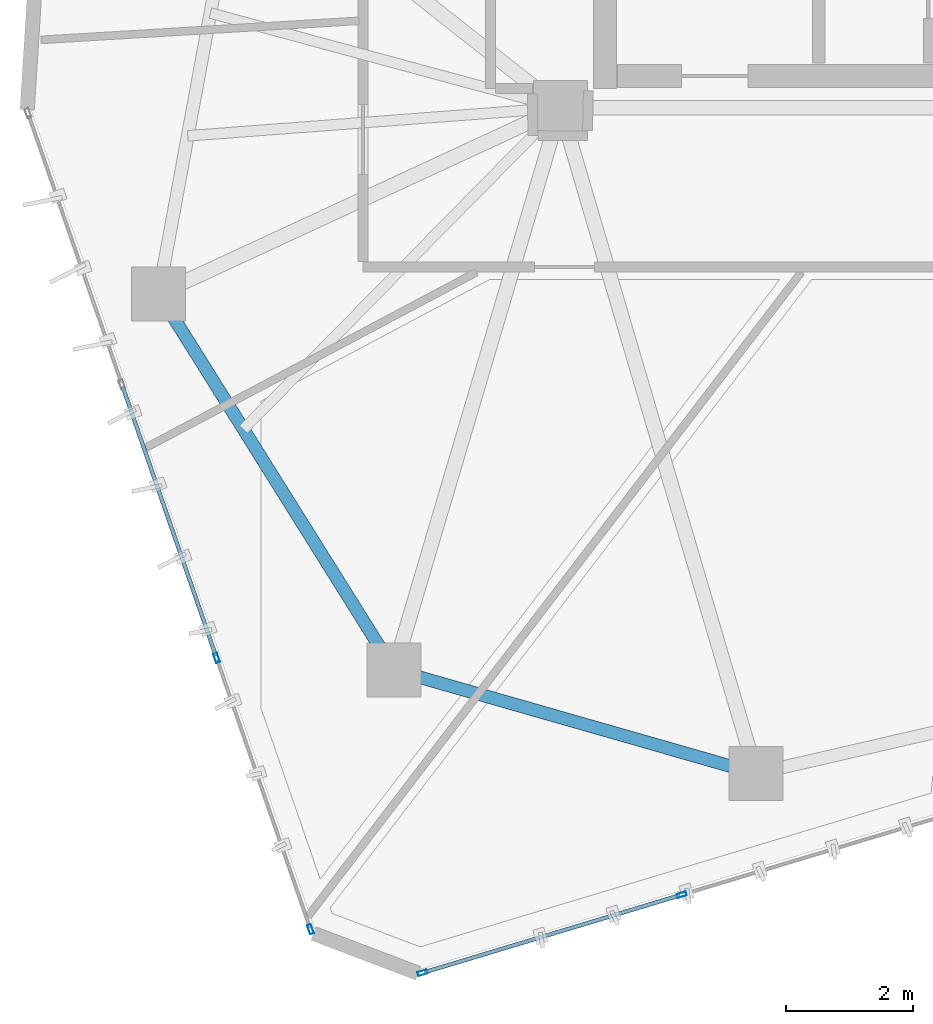
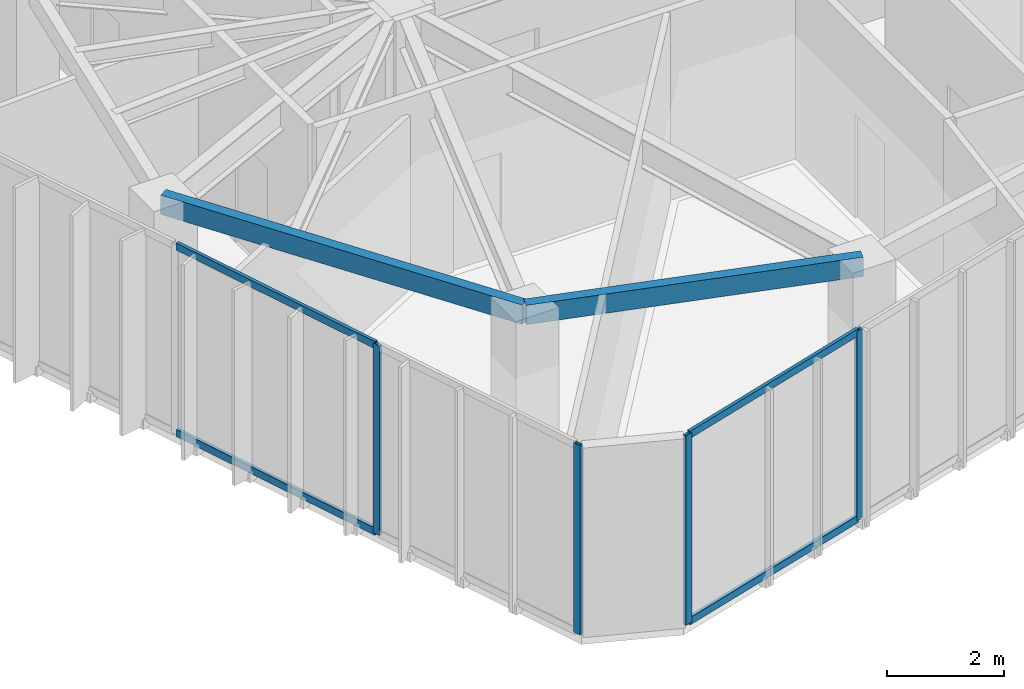
# One storey, part 2 of 20: 8 members, 2 beams, 2 elements without a shape of their own.
"""IFC4 building model written with IfcOpenShell, lengths in metres."""

from ifc_helpers import new_model, si_unit, direction, frame, origin, origin_2d, place, context, subcontext, project, spatial, hollow_rectangle, extrude, source, transform, mapped, material, layer, layer_set, material_profile, profile_set, type_object, type_shapes, element, aggregate, save


model = new_model("IFC4")

# Units and contexts
model_context = context("Model", 3, precision=1e-05, world=origin(), true_north=direction((0.0, 1.0)))
body_context = subcontext(model_context, "Body", "Model", "MODEL_VIEW")
ifc_project = project(units=[si_unit("LENGTHUNIT", "METRE"), si_unit("AREAUNIT", "SQUARE_METRE"), si_unit("VOLUMEUNIT", "CUBIC_METRE"), si_unit("PLANEANGLEUNIT", "RADIAN"), si_unit("MASSUNIT", "GRAM", prefix="KILO")], contexts=[model_context])

# Site, building, storey
site_placement = place(None, origin())
site = spatial("IfcSite", under=ifc_project, at=site_placement, CompositionType="ELEMENT")
building_placement = place(site_placement, origin())
building = spatial("IfcBuilding", under=site, at=building_placement, Name="Talar Marvaseh", CompositionType="ELEMENT")
storey_placement = place(building_placement, frame((0.0, 0.0, 291.800048828125)))
storey = spatial("IfcBuildingStorey", under=building, at=storey_placement, Name="L78", CompositionType="ELEMENT", Elevation=291.800048828125)

# Beams
ifc_material_1 = material(Name="Steel S355", Category="steel")
ifc_material_profile_1 = material_profile(ifc_material_1, hollow_rectangle(XDim=0.199951171875, YDim=0.39990234375, WallThickness=0.013916015625, at=origin_2d()), Name="RHS400x200x14")
ifc_profile_set_1 = profile_set([ifc_material_profile_1], Name="Steel S355")
beam_type = type_object("IfcBeamType", Name="Zone 3 Perimeter Spandrel Beam RHS400x200x14", PredefinedType="SPANDREL", material=ifc_profile_set_1)
beam_1_placement = place(storey_placement, frame((21.77587890625, 15.0400390625, 3.739990234375), z_axis=(-0.961411768303, 0.275113452538, 0.0), x_axis=(-0.275113452538, -0.961411768303, 0.0)))
element("IfcBeam", 1, at=beam_1_placement, inside=storey, type_object=beam_type, Name="L78 Zone 3 Perimeter Spandrel Beam RHS400x200x14", PredefinedType="SPANDREL", context=body_context, shape_type="SweptSolid", body=[
    extrude(hollow_rectangle(XDim=0.199951171875, YDim=0.39990234375, WallThickness=0.013916015625, at=origin_2d()), origin(), (0.0, 0.0, 1.0), 5.917236328125),
])
beam_2_placement = place(storey_placement, frame((16.0869140625, 16.66796875, 3.739990234375), z_axis=(-0.530505706813, 0.847681364098, 0.0), x_axis=(-0.847681364098, -0.530505706813, 0.0)))
element("IfcBeam", 2, at=beam_2_placement, inside=storey, type_object=beam_type, Name="L78 Zone 3 Perimeter Spandrel Beam RHS400x200x14", PredefinedType="SPANDREL", context=body_context, shape_type="SweptSolid", body=[
    extrude(hollow_rectangle(XDim=0.199951171875, YDim=0.39990234375, WallThickness=0.013916015625, at=origin_2d()), origin(), (0.0, 0.0, 1.0), 6.970703125),
])

# Curtain wall, members
ifc_material_2 = material(Name="Architectural Aluminium", Category="aluminium")
ifc_layer = layer(ifc_material_2, 0.239990234375)
ifc_layer_set = layer_set([ifc_layer], Name="Architectural Aluminium")
curtain_wall_type = type_object("IfcCurtainWallType", Name="Observation Sky Gallery Structural Glass Wall", PredefinedType="NOTDEFINED", material=ifc_layer_set)
curtain_wall_1_placement = place(storey_placement, origin())
curtain_wall_1 = element("IfcCurtainWall", 3, at=curtain_wall_1_placement, inside=storey, type_object=curtain_wall_type, Name="L78 Observation Sky Gallery Structural Glass Wall", PredefinedType="NOTDEFINED")
ifc_material_profile_2 = material_profile(ifc_material_2, hollow_rectangle(XDim=0.06494140625, YDim=0.14990234375, WallThickness=0.00390625, at=origin_2d()), Name="RHS150x65x4")
ifc_profile_set_2 = profile_set([ifc_material_profile_2], Name="Architectural Aluminium")
member_type_1 = type_object("IfcMemberType", Name="Unitised Curtain Wall Slim Transom RHS150x65x4", PredefinedType="USERDEFINED", material=ifc_profile_set_2)
shared_shape_1 = source(origin(), body_context, "Body", "SweptSolid", [
    extrude(hollow_rectangle(XDim=0.06494140625, YDim=0.14990234375, WallThickness=0.00390625, at=origin_2d()), origin(), (0.0, 0.0, 1.0), 4.47998046875),
])
member_1_placement = place(storey_placement, frame((13.28857421875, 16.8876953125, 0.032470703125), z_axis=(-0.32714425522, 0.944974410382, 0.0), x_axis=(-0.944974410382, -0.32714425522, 0.0)))
member_1 = element("IfcMember", 4, at=member_1_placement, type_object=member_type_1, Name="CW-OBS transom 2.1", ObjectType="TRANSOM", PredefinedType="USERDEFINED", context=body_context, shape_type="MappedRepresentation", body=[
    mapped(shared_shape_1, transform((0.0, 0.0, 0.0), x_axis=(1.0, 0.0, 0.0), y_axis=(0.0, 1.0, 0.0), z_axis=(0.0, 0.0, 1.0), scale=1.0)),
])
member_2_placement = place(storey_placement, frame((13.28857421875, 16.8876953125, 3.907470703125), z_axis=(-0.32714425522, 0.944974410382, 0.0), x_axis=(-0.944974410382, -0.32714425522, 0.0)))
member_2 = element("IfcMember", 5, at=member_2_placement, type_object=member_type_1, Name="CW-OBS transom 2.2", ObjectType="TRANSOM", PredefinedType="USERDEFINED", context=body_context, shape_type="MappedRepresentation", body=[
    mapped(shared_shape_1, transform((0.0, 0.0, 0.0), x_axis=(1.0, 0.0, 0.0), y_axis=(0.0, 1.0, 0.0), z_axis=(0.0, 0.0, 1.0), scale=1.0)),
])

curtain_wall_2_placement = place(storey_placement, origin())
curtain_wall_2 = element("IfcCurtainWall", 6, at=curtain_wall_2_placement, inside=storey, type_object=curtain_wall_type, Name="L78 Observation Sky Gallery Structural Glass Wall", PredefinedType="NOTDEFINED")
shared_shape_2 = source(origin(), body_context, "Body", "SweptSolid", [
    extrude(hollow_rectangle(XDim=0.06494140625, YDim=0.14990234375, WallThickness=0.00390625, at=origin_2d()), origin(), (0.0, 0.0, 1.0), 4.188720703125),
])
type_shapes(member_type_1, [shared_shape_1, shared_shape_2])
member_3_placement = place(storey_placement, frame((20.576171875, 13.125732421875, 0.032470703125), z_axis=(-0.957527385725, -0.288342340953, 0.0), x_axis=(0.288342340953, -0.957527385725, 0.0)))
member_3 = element("IfcMember", 7, at=member_3_placement, type_object=member_type_1, Name="CW-OBS transom 4.1", ObjectType="TRANSOM", PredefinedType="USERDEFINED", context=body_context, shape_type="MappedRepresentation", body=[
    mapped(shared_shape_2, transform((0.0, 0.0, 0.0), x_axis=(1.0, 0.0, 0.0), y_axis=(0.0, 1.0, 0.0), z_axis=(0.0, 0.0, 1.0), scale=1.0)),
])
member_4_placement = place(storey_placement, frame((20.576171875, 13.125732421875, 3.907470703125), z_axis=(-0.957527385725, -0.288342340953, 0.0), x_axis=(0.288342340953, -0.957527385725, 0.0)))
member_4 = element("IfcMember", 8, at=member_4_placement, type_object=member_type_1, Name="CW-OBS transom 4.2", ObjectType="TRANSOM", PredefinedType="USERDEFINED", context=body_context, shape_type="MappedRepresentation", body=[
    mapped(shared_shape_2, transform((0.0, 0.0, 0.0), x_axis=(1.0, 0.0, 0.0), y_axis=(0.0, 1.0, 0.0), z_axis=(0.0, 0.0, 1.0), scale=1.0)),
])

# Member
ifc_material_profile_3 = material_profile(ifc_material_2, hollow_rectangle(XDim=0.06494140625, YDim=0.14990234375, WallThickness=0.00390625, at=origin_2d()), Name="RHS150x65x4")
ifc_profile_set_3 = profile_set([ifc_material_profile_3], Name="Architectural Aluminium")
member_type_2 = type_object("IfcMemberType", Name="Unitised Curtain Wall Slim Mullion RHS150x65x4", PredefinedType="MULLION", material=ifc_profile_set_3)
shared_shape_3 = source(origin(), body_context, "Body", "SweptSolid", [
    extrude(hollow_rectangle(XDim=0.06494140625, YDim=0.14990234375, WallThickness=0.00390625, at=origin_2d()), origin(), (0.0, 0.0, 1.0), 3.93994140625),
])
type_shapes(member_type_2, [shared_shape_3])
member_5_placement = place(storey_placement, frame((14.775390625, 12.5927734375, 0.0), z_axis=(0.0, 0.0, 1.0), x_axis=(-0.944972121067, -0.327150867959, 0.0)))
member_5 = element("IfcMember", 9, at=member_5_placement, type_object=member_type_2, Name="CW-OBS mullion 1", PredefinedType="MULLION", context=body_context, shape_type="MappedRepresentation", body=[
    mapped(shared_shape_3, transform((0.0, 0.0, 0.0), x_axis=(1.0, 0.0, 0.0), y_axis=(0.0, 1.0, 0.0), z_axis=(0.0, 0.0, 1.0), scale=1.0)),
])

member_6_placement = place(storey_placement, frame((13.299072265625, 16.85693359375, 0.0), z_axis=(0.0, 0.0, 1.0), x_axis=(-0.944972121067, -0.327150867959, 0.0)))
member_6 = element("IfcMember", 10, at=member_6_placement, type_object=member_type_2, Name="CW-OBS mullion 2", PredefinedType="MULLION", context=body_context, shape_type="MappedRepresentation", body=[
    mapped(shared_shape_3, transform((0.0, 0.0, 0.0), x_axis=(1.0, 0.0, 0.0), y_axis=(0.0, 1.0, 0.0), z_axis=(0.0, 0.0, 1.0), scale=1.0)),
])

aggregate(curtain_wall_1, [member_5, member_6, member_1, member_2])

member_7_placement = place(storey_placement, frame((20.607421875, 13.135009765625, 0.0), z_axis=(0.0, 0.0, 1.0), x_axis=(0.288346227677, -0.957526215299, 0.0)))
member_7 = element("IfcMember", 11, at=member_7_placement, type_object=member_type_2, Name="CW-OBS mullion 4", PredefinedType="MULLION", context=body_context, shape_type="MappedRepresentation", body=[
    mapped(shared_shape_3, transform((0.0, 0.0, 0.0), x_axis=(1.0, 0.0, 0.0), y_axis=(0.0, 1.0, 0.0), z_axis=(0.0, 0.0, 1.0), scale=1.0)),
])

member_8_placement = place(storey_placement, frame((16.534423828125, 11.90869140625, 0.0), z_axis=(0.0, 0.0, 1.0), x_axis=(0.288346227677, -0.957526215299, 0.0)))
member_8 = element("IfcMember", 12, at=member_8_placement, type_object=member_type_2, Name="CW-OBS mullion 5", PredefinedType="MULLION", context=body_context, shape_type="MappedRepresentation", body=[
    mapped(shared_shape_3, transform((0.0, 0.0, 0.0), x_axis=(1.0, 0.0, 0.0), y_axis=(0.0, 1.0, 0.0), z_axis=(0.0, 0.0, 1.0), scale=1.0)),
])

aggregate(curtain_wall_2, [member_7, member_8, member_3, member_4])

save(model, "model.ifc")
